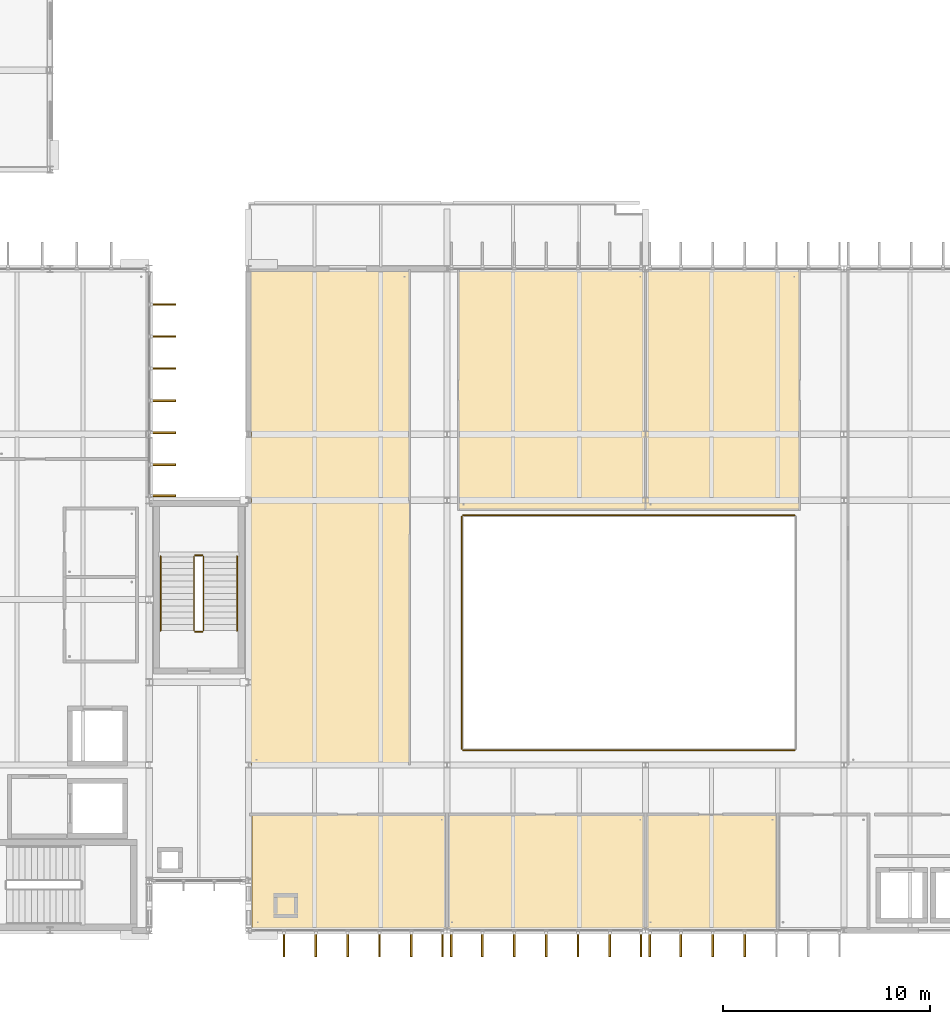
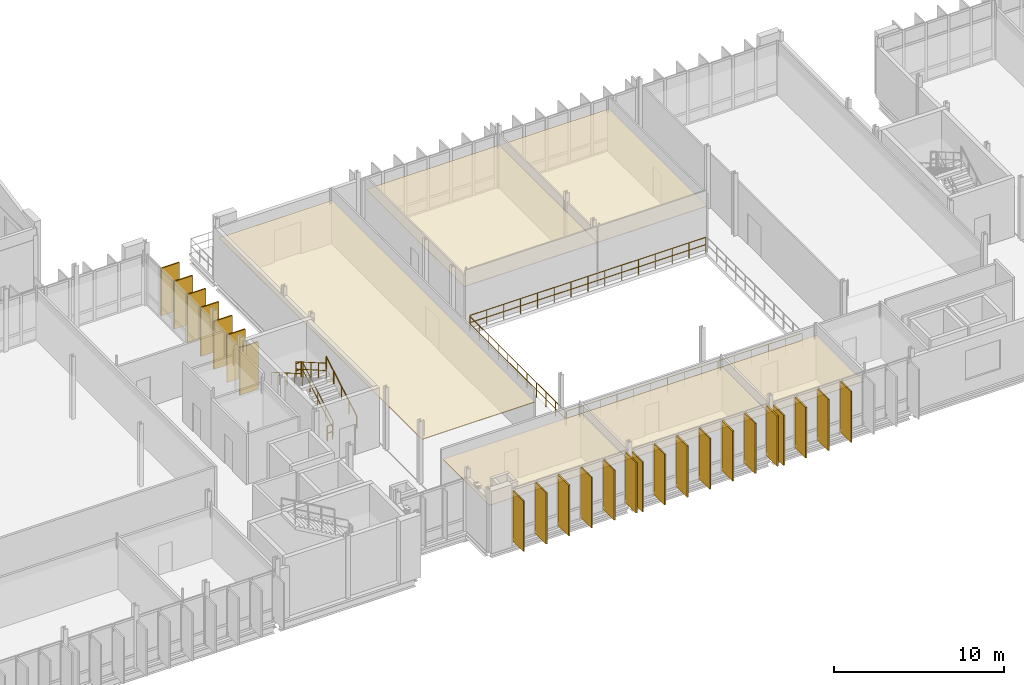
# One storey, part 86 of 93: 30 coverings, 9 railings.
"""IFC4 building model written with IfcOpenShell, lengths in metres."""

from ifc_helpers import new_model, si_unit, direction, frame, origin, origin_2d, place, context, subcontext, project, spatial, polyline, rectangle, circle, outline, extrude, material, layer, layer_set, type_object, element, save


model = new_model("IFC4")

# Units and contexts
model_context = context("Model", 3, precision=1e-05, world=origin(), true_north=direction((0.0, 1.0)))
body_context = subcontext(model_context, "Body", "Model", "MODEL_VIEW")
ifc_project = project(units=[si_unit("LENGTHUNIT", "METRE"), si_unit("AREAUNIT", "SQUARE_METRE"), si_unit("VOLUMEUNIT", "CUBIC_METRE"), si_unit("PLANEANGLEUNIT", "RADIAN"), si_unit("MASSUNIT", "GRAM", prefix="KILO")], contexts=[model_context])

# Site, building, storey
site_placement = place(None, origin())
site = spatial("IfcSite", under=ifc_project, at=site_placement, CompositionType="ELEMENT")
building_placement = place(site_placement, origin())
building = spatial("IfcBuilding", under=site, at=building_placement, Name="Dunescarp Central Library", CompositionType="ELEMENT")
storey_placement = place(building_placement, frame((0.0, 0.0, 14.10009765625)))
storey = spatial("IfcBuildingStorey", under=building, at=storey_placement, Name="L03", CompositionType="ELEMENT", Elevation=14.10009765625)

# Coverings
ifc_material_1 = material(Name="Perforated birch acoustic timber baffle", Category="wood")
ifc_layer_1 = layer(ifc_material_1, 0.050048828125)
ifc_layer_set_1 = layer_set([ifc_layer_1], Name="Perforated birch acoustic timber baffle")
covering_type_1 = type_object("IfcCoveringType", Name="ARC-COV-BAFFLE", PredefinedType="CEILING", material=ifc_layer_set_1)
covering_1_placement = place(storey_placement, frame((0.0, 0.0, 3.0498046875)))
element("IfcCovering", 1, at=covering_1_placement, inside=storey, type_object=covering_type_1, Name="L03 ceiling L03 Periodical Reading Alcove", PredefinedType="CEILING", context=body_context, shape_type="SweptSolid", body=[
    extrude(outline(polyline([(57.580078125, 4.919921875), (64.02001953125, 4.919921875), (64.02001953125, 10.419921875), (57.580078125, 10.419921875), (57.580078125, 4.919921875)])), origin(), (0.0, 0.0, 1.0), 0.050048828125),
])
covering_2_placement = place(storey_placement, frame((0.0, 0.0, 3.0498046875)))
element("IfcCovering", 2, at=covering_2_placement, inside=storey, type_object=covering_type_1, Name="L03 ceiling L03 West Stepped Reading Terrace", PredefinedType="CEILING", context=body_context, shape_type="SweptSolid", body=[
    extrude(outline(polyline([(38.52001953125, 12.780029296875), (46.219970703125, 12.780029296875), (46.219970703125, 36.679931640625), (38.52001953125, 36.679931640625), (38.52001953125, 12.780029296875)])), origin(), (0.0, 0.0, 1.0), 0.050048828125),
])
ifc_material_2 = material(Name="Mineral-fibre acoustic ceiling tile")
ifc_layer_2 = layer(ifc_material_2, 0.0400390625)
ifc_layer_set_2 = layer_set([ifc_layer_2], Name="Mineral-fibre acoustic ceiling tile")
covering_type_2 = type_object("IfcCoveringType", Name="ARC-COV-CEIL40", PredefinedType="CEILING", material=ifc_layer_set_2)
covering_3_placement = place(storey_placement, frame((0.0, 0.0, 3.0498046875)))
element("IfcCovering", 3, at=covering_3_placement, inside=storey, type_object=covering_type_2, Name="L03 ceiling L03 Group Study Room A", PredefinedType="CEILING", context=body_context, shape_type="SweptSolid", body=[
    extrude(outline(polyline([(38.580078125, 4.919921875), (48.02001953125, 4.919921875), (48.02001953125, 10.419921875), (38.580078125, 10.419921875), (38.580078125, 4.919921875)])), origin(), (0.0, 0.0, 1.0), 0.0400390625),
])
covering_4_placement = place(storey_placement, frame((0.0, 0.0, 3.0498046875)))
element("IfcCovering", 4, at=covering_4_placement, inside=storey, type_object=covering_type_2, Name="L03 ceiling L03 Group Study Room B", PredefinedType="CEILING", context=body_context, shape_type="SweptSolid", body=[
    extrude(outline(polyline([(47.97998046875, 4.919921875), (57.6201171875, 4.919921875), (57.6201171875, 10.419921875), (47.97998046875, 10.419921875), (47.97998046875, 4.919921875)])), origin(), (0.0, 0.0, 1.0), 0.0400390625),
])
covering_5_placement = place(storey_placement, frame((0.0, 0.0, 3.0498046875)))
element("IfcCovering", 5, at=covering_5_placement, inside=storey, type_object=covering_type_2, Name="L03 ceiling L03 North Water-Court Study Lounge West", PredefinedType="CEILING", context=body_context, shape_type="SweptSolid", body=[
    extrude(outline(polyline([(48.530029296875, 25.1298828125), (57.6201171875, 25.1298828125), (57.6201171875, 36.679931640625), (48.530029296875, 36.679931640625), (48.530029296875, 25.1298828125)])), origin(), (0.0, 0.0, 1.0), 0.0400390625),
])
covering_6_placement = place(storey_placement, frame((0.0, 0.0, 3.0498046875)))
element("IfcCovering", 6, at=covering_6_placement, inside=storey, type_object=covering_type_2, Name="L03 ceiling L03 North Water-Court Study Lounge East", PredefinedType="CEILING", context=body_context, shape_type="SweptSolid", body=[
    extrude(outline(polyline([(57.580078125, 25.1298828125), (65.070068359375, 25.1298828125), (65.070068359375, 36.679931640625), (57.580078125, 36.679931640625), (57.580078125, 25.1298828125)])), origin(), (0.0, 0.0, 1.0), 0.0400390625),
])
ifc_material_3 = material(Name="Glass-fibre reinforced concrete GRC", Category="concrete")
ifc_layer_3 = layer(ifc_material_3, 0.090087890625)
ifc_layer_set_3 = layer_set([ifc_layer_3], Name="Glass-fibre reinforced concrete GRC")
covering_type_3 = type_object("IfcCoveringType", Name="ARC-COV-FIN1250", PredefinedType="CLADDING", material=ifc_layer_set_3)
covering_7_placement = place(storey_placement, frame((34.261962890625, 35.074951171875, 0.180419921875), z_axis=(0.0, 0.0, 1.0), x_axis=(1.0, 0.0, 0.0)))
element("IfcCovering", 7, at=covering_7_placement, inside=storey, type_object=covering_type_3, Name="L03 parametric vertical facade fin FIN-L03-0156", PredefinedType="CLADDING", context=body_context, shape_type="SweptSolid", body=[
    extrude(rectangle(XDim=1.25, YDim=0.090087890625, at=origin_2d()), origin(), (0.0, 0.0, 1.0), 3.4150390625),
])
covering_8_placement = place(storey_placement, frame((34.261962890625, 33.52490234375, 0.16357421875), z_axis=(0.0, 0.0, 1.0), x_axis=(1.0, 0.0, 0.0)))
element("IfcCovering", 8, at=covering_8_placement, inside=storey, type_object=covering_type_3, Name="L03 parametric vertical facade fin FIN-L03-0157", PredefinedType="CLADDING", context=body_context, shape_type="SweptSolid", body=[
    extrude(rectangle(XDim=1.25, YDim=0.090087890625, at=origin_2d()), origin(), (0.0, 0.0, 1.0), 3.430908203125),
])
covering_9_placement = place(storey_placement, frame((34.261962890625, 31.97509765625, 0.123046875), z_axis=(0.0, 0.0, 1.0), x_axis=(1.0, 0.0, 0.0)))
element("IfcCovering", 9, at=covering_9_placement, inside=storey, type_object=covering_type_3, Name="L03 parametric vertical facade fin FIN-L03-0158", PredefinedType="CLADDING", context=body_context, shape_type="SweptSolid", body=[
    extrude(rectangle(XDim=1.25, YDim=0.090087890625, at=origin_2d()), origin(), (0.0, 0.0, 1.0), 3.471923828125),
])
covering_10_placement = place(storey_placement, frame((34.261962890625, 30.425048828125, 0.079833984375), z_axis=(0.0, 0.0, 1.0), x_axis=(1.0, 0.0, 0.0)))
element("IfcCovering", 10, at=covering_10_placement, inside=storey, type_object=covering_type_3, Name="L03 parametric vertical facade fin FIN-L03-0159", PredefinedType="CLADDING", context=body_context, shape_type="SweptSolid", body=[
    extrude(rectangle(XDim=1.25, YDim=0.090087890625, at=origin_2d()), origin(), (0.0, 0.0, 1.0), 3.50390625),
])
covering_11_placement = place(storey_placement, frame((34.261962890625, 28.875, 0.079833984375), z_axis=(0.0, 0.0, 1.0), x_axis=(1.0, 0.0, 0.0)))
element("IfcCovering", 11, at=covering_11_placement, inside=storey, type_object=covering_type_3, Name="L03 parametric vertical facade fin FIN-L03-0160", PredefinedType="CLADDING", context=body_context, shape_type="SweptSolid", body=[
    extrude(rectangle(XDim=1.25, YDim=0.090087890625, at=origin_2d()), origin(), (0.0, 0.0, 1.0), 3.4541015625),
])
covering_12_placement = place(storey_placement, frame((34.261962890625, 27.324951171875, 0.079345703125), z_axis=(0.0, 0.0, 1.0), x_axis=(1.0, 0.0, 0.0)))
element("IfcCovering", 12, at=covering_12_placement, inside=storey, type_object=covering_type_3, Name="L03 parametric vertical facade fin FIN-L03-0161", PredefinedType="CLADDING", context=body_context, shape_type="SweptSolid", body=[
    extrude(rectangle(XDim=1.25, YDim=0.090087890625, at=origin_2d()), origin(), (0.0, 0.0, 1.0), 3.4208984375),
])
covering_13_placement = place(storey_placement, frame((34.261962890625, 25.81494140625, 0.080322265625), z_axis=(0.0, 0.0, 1.0), x_axis=(1.0, 0.0, 0.0)))
element("IfcCovering", 13, at=covering_13_placement, inside=storey, type_object=covering_type_3, Name="L03 parametric vertical facade fin FIN-L03-0162", PredefinedType="CLADDING", context=body_context, shape_type="SweptSolid", body=[
    extrude(rectangle(XDim=1.25, YDim=0.090087890625, at=origin_2d()), origin(), (0.0, 0.0, 1.0), 3.4169921875),
])
covering_14_placement = place(storey_placement, frame((47.784912109375, 4.137939453125, 0.16748046875), z_axis=(0.0, 0.0, 1.0), x_axis=(0.0, -1.0, 0.0)))
element("IfcCovering", 14, at=covering_14_placement, inside=storey, type_object=covering_type_3, Name="L03 parametric vertical facade fin FIN-L03-0424", PredefinedType="CLADDING", context=body_context, shape_type="SweptSolid", body=[
    extrude(rectangle(XDim=1.25, YDim=0.090087890625, at=origin_2d()), origin(), (0.0, 0.0, 1.0), 3.614990234375),
])
covering_15_placement = place(storey_placement, frame((46.282958984375, 4.137939453125, 0.179931640625), z_axis=(0.0, 0.0, 1.0), x_axis=(0.0, -1.0, 0.0)))
element("IfcCovering", 15, at=covering_15_placement, inside=storey, type_object=covering_type_3, Name="L03 parametric vertical facade fin FIN-L03-0425", PredefinedType="CLADDING", context=body_context, shape_type="SweptSolid", body=[
    extrude(rectangle(XDim=1.25, YDim=0.090087890625, at=origin_2d()), origin(), (0.0, 0.0, 1.0), 3.60205078125),
])
covering_16_placement = place(storey_placement, frame((44.741943359375, 4.137939453125, 0.1640625), z_axis=(0.0, 0.0, 1.0), x_axis=(0.0, -1.0, 0.0)))
element("IfcCovering", 16, at=covering_16_placement, inside=storey, type_object=covering_type_3, Name="L03 parametric vertical facade fin FIN-L03-0426", PredefinedType="CLADDING", context=body_context, shape_type="SweptSolid", body=[
    extrude(rectangle(XDim=1.25, YDim=0.090087890625, at=origin_2d()), origin(), (0.0, 0.0, 1.0), 3.617919921875),
])
covering_17_placement = place(storey_placement, frame((43.199951171875, 4.137939453125, 0.12353515625), z_axis=(0.0, 0.0, 1.0), x_axis=(0.0, -1.0, 0.0)))
element("IfcCovering", 17, at=covering_17_placement, inside=storey, type_object=covering_type_3, Name="L03 parametric vertical facade fin FIN-L03-0427", PredefinedType="CLADDING", context=body_context, shape_type="SweptSolid", body=[
    extrude(rectangle(XDim=1.25, YDim=0.090087890625, at=origin_2d()), origin(), (0.0, 0.0, 1.0), 3.658935546875),
])
covering_18_placement = place(storey_placement, frame((41.657958984375, 4.137939453125, 0.080322265625), z_axis=(0.0, 0.0, 1.0), x_axis=(0.0, -1.0, 0.0)))
element("IfcCovering", 18, at=covering_18_placement, inside=storey, type_object=covering_type_3, Name="L03 parametric vertical facade fin FIN-L03-0428", PredefinedType="CLADDING", context=body_context, shape_type="SweptSolid", body=[
    extrude(rectangle(XDim=1.25, YDim=0.090087890625, at=origin_2d()), origin(), (0.0, 0.0, 1.0), 3.69091796875),
])
covering_19_placement = place(storey_placement, frame((40.116943359375, 4.137939453125, 0.080322265625), z_axis=(0.0, 0.0, 1.0), x_axis=(0.0, -1.0, 0.0)))
element("IfcCovering", 19, at=covering_19_placement, inside=storey, type_object=covering_type_3, Name="L03 parametric vertical facade fin FIN-L03-0429", PredefinedType="CLADDING", context=body_context, shape_type="SweptSolid", body=[
    extrude(rectangle(XDim=1.25, YDim=0.090087890625, at=origin_2d()), origin(), (0.0, 0.0, 1.0), 3.64111328125),
])
covering_20_placement = place(storey_placement, frame((57.385009765625, 4.137939453125, 0.16748046875), z_axis=(0.0, 0.0, 1.0), x_axis=(0.0, -1.0, 0.0)))
element("IfcCovering", 20, at=covering_20_placement, inside=storey, type_object=covering_type_3, Name="L03 parametric vertical facade fin FIN-L03-0430", PredefinedType="CLADDING", context=body_context, shape_type="SweptSolid", body=[
    extrude(rectangle(XDim=1.25, YDim=0.090087890625, at=origin_2d()), origin(), (0.0, 0.0, 1.0), 3.614990234375),
])
covering_21_placement = place(storey_placement, frame((55.883056640625, 4.137939453125, 0.179931640625), z_axis=(0.0, 0.0, 1.0), x_axis=(0.0, -1.0, 0.0)))
element("IfcCovering", 21, at=covering_21_placement, inside=storey, type_object=covering_type_3, Name="L03 parametric vertical facade fin FIN-L03-0431", PredefinedType="CLADDING", context=body_context, shape_type="SweptSolid", body=[
    extrude(rectangle(XDim=1.25, YDim=0.090087890625, at=origin_2d()), origin(), (0.0, 0.0, 1.0), 3.60205078125),
])
covering_22_placement = place(storey_placement, frame((54.342041015625, 4.137939453125, 0.1640625), z_axis=(0.0, 0.0, 1.0), x_axis=(0.0, -1.0, 0.0)))
element("IfcCovering", 22, at=covering_22_placement, inside=storey, type_object=covering_type_3, Name="L03 parametric vertical facade fin FIN-L03-0432", PredefinedType="CLADDING", context=body_context, shape_type="SweptSolid", body=[
    extrude(rectangle(XDim=1.25, YDim=0.090087890625, at=origin_2d()), origin(), (0.0, 0.0, 1.0), 3.617919921875),
])
covering_23_placement = place(storey_placement, frame((52.800048828125, 4.137939453125, 0.12353515625), z_axis=(0.0, 0.0, 1.0), x_axis=(0.0, -1.0, 0.0)))
element("IfcCovering", 23, at=covering_23_placement, inside=storey, type_object=covering_type_3, Name="L03 parametric vertical facade fin FIN-L03-0433", PredefinedType="CLADDING", context=body_context, shape_type="SweptSolid", body=[
    extrude(rectangle(XDim=1.25, YDim=0.090087890625, at=origin_2d()), origin(), (0.0, 0.0, 1.0), 3.658935546875),
])
covering_24_placement = place(storey_placement, frame((51.258056640625, 4.137939453125, 0.080322265625), z_axis=(0.0, 0.0, 1.0), x_axis=(0.0, -1.0, 0.0)))
element("IfcCovering", 24, at=covering_24_placement, inside=storey, type_object=covering_type_3, Name="L03 parametric vertical facade fin FIN-L03-0434", PredefinedType="CLADDING", context=body_context, shape_type="SweptSolid", body=[
    extrude(rectangle(XDim=1.25, YDim=0.090087890625, at=origin_2d()), origin(), (0.0, 0.0, 1.0), 3.69091796875),
])
covering_25_placement = place(storey_placement, frame((49.717041015625, 4.137939453125, 0.080322265625), z_axis=(0.0, 0.0, 1.0), x_axis=(0.0, -1.0, 0.0)))
element("IfcCovering", 25, at=covering_25_placement, inside=storey, type_object=covering_type_3, Name="L03 parametric vertical facade fin FIN-L03-0435", PredefinedType="CLADDING", context=body_context, shape_type="SweptSolid", body=[
    extrude(rectangle(XDim=1.25, YDim=0.090087890625, at=origin_2d()), origin(), (0.0, 0.0, 1.0), 3.64111328125),
])
covering_26_placement = place(storey_placement, frame((48.215087890625, 4.137939453125, 0.079833984375), z_axis=(0.0, 0.0, 1.0), x_axis=(0.0, -1.0, 0.0)))
element("IfcCovering", 26, at=covering_26_placement, inside=storey, type_object=covering_type_3, Name="L03 parametric vertical facade fin FIN-L03-0436", PredefinedType="CLADDING", context=body_context, shape_type="SweptSolid", body=[
    extrude(rectangle(XDim=1.25, YDim=0.090087890625, at=origin_2d()), origin(), (0.0, 0.0, 1.0), 3.60791015625),
])
covering_27_placement = place(storey_placement, frame((62.39990234375, 4.137939453125, 0.12353515625), z_axis=(0.0, 0.0, 1.0), x_axis=(0.0, -1.0, 0.0)))
element("IfcCovering", 27, at=covering_27_placement, inside=storey, type_object=covering_type_3, Name="L03 parametric vertical facade fin FIN-L03-0440", PredefinedType="CLADDING", context=body_context, shape_type="SweptSolid", body=[
    extrude(rectangle(XDim=1.25, YDim=0.090087890625, at=origin_2d()), origin(), (0.0, 0.0, 1.0), 3.658935546875),
])
covering_28_placement = place(storey_placement, frame((60.85791015625, 4.137939453125, 0.080322265625), z_axis=(0.0, 0.0, 1.0), x_axis=(0.0, -1.0, 0.0)))
element("IfcCovering", 28, at=covering_28_placement, inside=storey, type_object=covering_type_3, Name="L03 parametric vertical facade fin FIN-L03-0441", PredefinedType="CLADDING", context=body_context, shape_type="SweptSolid", body=[
    extrude(rectangle(XDim=1.25, YDim=0.090087890625, at=origin_2d()), origin(), (0.0, 0.0, 1.0), 3.69091796875),
])
covering_29_placement = place(storey_placement, frame((59.31689453125, 4.137939453125, 0.080322265625), z_axis=(0.0, 0.0, 1.0), x_axis=(0.0, -1.0, 0.0)))
element("IfcCovering", 29, at=covering_29_placement, inside=storey, type_object=covering_type_3, Name="L03 parametric vertical facade fin FIN-L03-0442", PredefinedType="CLADDING", context=body_context, shape_type="SweptSolid", body=[
    extrude(rectangle(XDim=1.25, YDim=0.090087890625, at=origin_2d()), origin(), (0.0, 0.0, 1.0), 3.64111328125),
])
covering_30_placement = place(storey_placement, frame((57.81494140625, 4.137939453125, 0.079833984375), z_axis=(0.0, 0.0, 1.0), x_axis=(0.0, -1.0, 0.0)))
element("IfcCovering", 30, at=covering_30_placement, inside=storey, type_object=covering_type_3, Name="L03 parametric vertical facade fin FIN-L03-0443", PredefinedType="CLADDING", context=body_context, shape_type="SweptSolid", body=[
    extrude(rectangle(XDim=1.25, YDim=0.090087890625, at=origin_2d()), origin(), (0.0, 0.0, 1.0), 3.60791015625),
])

# Railings
ifc_material_4 = material(Name="Stainless steel Grade 316L", Category="steel")
railing_type_1 = type_object("IfcRailingType", Name="ARC-RL-GUARD", PredefinedType="GUARDRAIL", material=ifc_material_4)
railing_1_placement = place(storey_placement, frame((36.22998046875, 19.300048828125, 0.173095703125)))
element("IfcRailing", 31, at=railing_1_placement, inside=storey, type_object=railing_type_1, Name="L03 ST-2 stair guard 1", PredefinedType="GUARDRAIL", context=body_context, shape_type="SweptSolid", body=[
    extrude(circle(Radius=0.02392578125, at=origin_2d()), frame((0.0, 0.0, 1.076171875), z_axis=(0.0, 0.866178740119, 0.499734319579), x_axis=(-1.0, 0.0, 0.0)), (0.0, 0.0, 1.0), 4.156005859375),
    extrude(circle(Radius=0.02392578125, at=origin_2d()), frame((0.0, 0.0, 0.550048828125), z_axis=(0.0, 0.866178740119, 0.499734319579), x_axis=(-1.0, 0.0, 0.0)), (0.0, 0.0, 1.0), 4.156005859375),
    extrude(circle(Radius=0.02099609375, at=origin_2d()), origin(), (0.0, 0.0, 1.0), 1.052001953125),
    extrude(circle(Radius=0.02099609375, at=origin_2d()), frame((0.0, 0.89990234375, 0.519287109375)), (0.0, 0.0, 1.0), 1.052001953125),
    extrude(circle(Radius=0.02099609375, at=origin_2d()), frame((0.0, 1.7998046875, 1.03857421875)), (0.0, 0.0, 1.0), 1.052001953125),
    extrude(circle(Radius=0.02099609375, at=origin_2d()), frame((0.0, 2.699951171875, 1.5576171875)), (0.0, 0.0, 1.0), 1.052001953125),
    extrude(circle(Radius=0.02099609375, at=origin_2d()), frame((0.0, 3.599853515625, 2.076904296875)), (0.0, 0.0, 1.0), 1.052001953125),
])
railing_2_placement = place(storey_placement, frame((36.179931640625, 22.949951171875, 2.25)))
element("IfcRailing", 32, at=railing_2_placement, inside=storey, type_object=railing_type_1, Name="L03 ST-2 stair guard 2", PredefinedType="GUARDRAIL", context=body_context, shape_type="SweptSolid", body=[
    extrude(circle(Radius=0.02392578125, at=origin_2d()), frame((0.0, 0.0, 1.076171875), z_axis=(-1.0, 0.0, 0.0), x_axis=(0.0, -1.0, 0.0)), (0.0, 0.0, 1.0), 0.35986328125),
    extrude(circle(Radius=0.02392578125, at=origin_2d()), frame((0.0, 0.0, 0.550048828125), z_axis=(-1.0, 0.0, 0.0), x_axis=(0.0, -1.0, 0.0)), (0.0, 0.0, 1.0), 0.35986328125),
    extrude(circle(Radius=0.02099609375, at=origin_2d()), origin(), (0.0, 0.0, 1.0), 1.052001953125),
    extrude(circle(Radius=0.02099609375, at=origin_2d()), frame((-0.35986328125, 0.0, 0.0)), (0.0, 0.0, 1.0), 1.052001953125),
])
railing_3_placement = place(storey_placement, frame((35.77001953125, 22.89990234375, 2.423095703125)))
element("IfcRailing", 33, at=railing_3_placement, inside=storey, type_object=railing_type_1, Name="L03 ST-2 stair guard 3", PredefinedType="GUARDRAIL", context=body_context, shape_type="SweptSolid", body=[
    extrude(circle(Radius=0.02392578125, at=origin_2d()), frame((0.0, 0.0, 1.076171875), z_axis=(0.0, -0.866178740119, 0.499734319579), x_axis=(1.0, 0.0, 0.0)), (0.0, 0.0, 1.0), 4.156005859375),
    extrude(circle(Radius=0.02392578125, at=origin_2d()), frame((0.0, 0.0, 0.550048828125), z_axis=(0.0, -0.866178740119, 0.499734319579), x_axis=(1.0, 0.0, 0.0)), (0.0, 0.0, 1.0), 4.156005859375),
    extrude(circle(Radius=0.02099609375, at=origin_2d()), origin(), (0.0, 0.0, 1.0), 1.052001953125),
    extrude(circle(Radius=0.02099609375, at=origin_2d()), frame((0.0, -0.89990234375, 0.519287109375)), (0.0, 0.0, 1.0), 1.052001953125),
    extrude(circle(Radius=0.02099609375, at=origin_2d()), frame((0.0, -1.7998046875, 1.03857421875)), (0.0, 0.0, 1.0), 1.052001953125),
    extrude(circle(Radius=0.02099609375, at=origin_2d()), frame((0.0, -2.699951171875, 1.5576171875)), (0.0, 0.0, 1.0), 1.052001953125),
    extrude(circle(Radius=0.02099609375, at=origin_2d()), frame((0.0, -3.599853515625, 2.076904296875)), (0.0, 0.0, 1.0), 1.052001953125),
])
railing_4_placement = place(storey_placement, frame((36.179931640625, 19.25, 0.0)))
element("IfcRailing", 34, at=railing_4_placement, inside=storey, type_object=railing_type_1, Name="L03 ST-2 stair guard 4", PredefinedType="GUARDRAIL", context=body_context, shape_type="SweptSolid", body=[
    extrude(circle(Radius=0.02392578125, at=origin_2d()), frame((0.0, 0.0, 1.076171875), z_axis=(-1.0, 0.0, 0.0), x_axis=(0.0, -1.0, 0.0)), (0.0, 0.0, 1.0), 0.35986328125),
    extrude(circle(Radius=0.02392578125, at=origin_2d()), frame((0.0, 0.0, 0.550048828125), z_axis=(-1.0, 0.0, 0.0), x_axis=(0.0, -1.0, 0.0)), (0.0, 0.0, 1.0), 0.35986328125),
    extrude(circle(Radius=0.02099609375, at=origin_2d()), origin(), (0.0, 0.0, 1.0), 1.052001953125),
    extrude(circle(Radius=0.02099609375, at=origin_2d()), frame((-0.35986328125, 0.0, 0.0)), (0.0, 0.0, 1.0), 1.052001953125),
])
railing_5_placement = place(storey_placement, frame((48.780029296875, 13.52001953125, 0.0)))
element("IfcRailing", 35, at=railing_5_placement, inside=storey, type_object=railing_type_1, Name="L03 void guardrail GRD-ATR-L03-S", PredefinedType="GUARDRAIL", context=body_context, shape_type="SweptSolid", body=[
    extrude(circle(Radius=0.02392578125, at=origin_2d()), frame((0.0, 0.0, 1.076171875), z_axis=(1.0, 0.0, 0.0), x_axis=(0.0, 1.0, 0.0)), (0.0, 0.0, 1.0), 16.0400390625),
    extrude(circle(Radius=0.02392578125, at=origin_2d()), frame((0.0, 0.0, 0.550048828125), z_axis=(1.0, 0.0, 0.0), x_axis=(0.0, 1.0, 0.0)), (0.0, 0.0, 1.0), 16.0400390625),
    extrude(circle(Radius=0.02099609375, at=origin_2d()), origin(), (0.0, 0.0, 1.0), 1.052001953125),
    extrude(circle(Radius=0.02099609375, at=origin_2d()), frame((1.145751953125, 0.0, 0.0)), (0.0, 0.0, 1.0), 1.052001953125),
    extrude(circle(Radius=0.02099609375, at=origin_2d()), frame((2.29150390625, 0.0, 0.0)), (0.0, 0.0, 1.0), 1.052001953125),
    extrude(circle(Radius=0.02099609375, at=origin_2d()), frame((3.437255859375, 0.0, 0.0)), (0.0, 0.0, 1.0), 1.052001953125),
    extrude(circle(Radius=0.02099609375, at=origin_2d()), frame((4.582763671875, 0.0, 0.0)), (0.0, 0.0, 1.0), 1.052001953125),
    extrude(circle(Radius=0.02099609375, at=origin_2d()), frame((5.728515625, 0.0, 0.0)), (0.0, 0.0, 1.0), 1.052001953125),
    extrude(circle(Radius=0.02099609375, at=origin_2d()), frame((6.874267578125, 0.0, 0.0)), (0.0, 0.0, 1.0), 1.052001953125),
    extrude(circle(Radius=0.02099609375, at=origin_2d()), frame((8.02001953125, 0.0, 0.0)), (0.0, 0.0, 1.0), 1.052001953125),
    extrude(circle(Radius=0.02099609375, at=origin_2d()), frame((9.165771484375, 0.0, 0.0)), (0.0, 0.0, 1.0), 1.052001953125),
    extrude(circle(Radius=0.02099609375, at=origin_2d()), frame((10.3115234375, 0.0, 0.0)), (0.0, 0.0, 1.0), 1.052001953125),
    extrude(circle(Radius=0.02099609375, at=origin_2d()), frame((11.457275390625, 0.0, 0.0)), (0.0, 0.0, 1.0), 1.052001953125),
    extrude(circle(Radius=0.02099609375, at=origin_2d()), frame((12.602783203125, 0.0, 0.0)), (0.0, 0.0, 1.0), 1.052001953125),
    extrude(circle(Radius=0.02099609375, at=origin_2d()), frame((13.74853515625, 0.0, 0.0)), (0.0, 0.0, 1.0), 1.052001953125),
    extrude(circle(Radius=0.02099609375, at=origin_2d()), frame((14.894287109375, 0.0, 0.0)), (0.0, 0.0, 1.0), 1.052001953125),
    extrude(circle(Radius=0.02099609375, at=origin_2d()), frame((16.0400390625, 0.0, 0.0)), (0.0, 0.0, 1.0), 1.052001953125),
])
railing_6_placement = place(storey_placement, frame((64.820068359375, 24.8798828125, 0.0)))
element("IfcRailing", 36, at=railing_6_placement, inside=storey, type_object=railing_type_1, Name="L03 void guardrail GRD-ATR-L03-N", PredefinedType="GUARDRAIL", context=body_context, shape_type="SweptSolid", body=[
    extrude(circle(Radius=0.02392578125, at=origin_2d()), frame((0.0, 0.0, 1.076171875), z_axis=(-1.0, 0.0, 0.0), x_axis=(0.0, -1.0, 0.0)), (0.0, 0.0, 1.0), 16.0400390625),
    extrude(circle(Radius=0.02392578125, at=origin_2d()), frame((0.0, 0.0, 0.550048828125), z_axis=(-1.0, 0.0, 0.0), x_axis=(0.0, -1.0, 0.0)), (0.0, 0.0, 1.0), 16.0400390625),
    extrude(circle(Radius=0.02099609375, at=origin_2d()), origin(), (0.0, 0.0, 1.0), 1.052001953125),
    extrude(circle(Radius=0.02099609375, at=origin_2d()), frame((-1.145751953125, 0.0, 0.0)), (0.0, 0.0, 1.0), 1.052001953125),
    extrude(circle(Radius=0.02099609375, at=origin_2d()), frame((-2.29150390625, 0.0, 0.0)), (0.0, 0.0, 1.0), 1.052001953125),
    extrude(circle(Radius=0.02099609375, at=origin_2d()), frame((-3.437255859375, 0.0, 0.0)), (0.0, 0.0, 1.0), 1.052001953125),
    extrude(circle(Radius=0.02099609375, at=origin_2d()), frame((-4.582763671875, 0.0, 0.0)), (0.0, 0.0, 1.0), 1.052001953125),
    extrude(circle(Radius=0.02099609375, at=origin_2d()), frame((-5.728515625, 0.0, 0.0)), (0.0, 0.0, 1.0), 1.052001953125),
    extrude(circle(Radius=0.02099609375, at=origin_2d()), frame((-6.874267578125, 0.0, 0.0)), (0.0, 0.0, 1.0), 1.052001953125),
    extrude(circle(Radius=0.02099609375, at=origin_2d()), frame((-8.02001953125, 0.0, 0.0)), (0.0, 0.0, 1.0), 1.052001953125),
    extrude(circle(Radius=0.02099609375, at=origin_2d()), frame((-9.165771484375, 0.0, 0.0)), (0.0, 0.0, 1.0), 1.052001953125),
    extrude(circle(Radius=0.02099609375, at=origin_2d()), frame((-10.3115234375, 0.0, 0.0)), (0.0, 0.0, 1.0), 1.052001953125),
    extrude(circle(Radius=0.02099609375, at=origin_2d()), frame((-11.457275390625, 0.0, 0.0)), (0.0, 0.0, 1.0), 1.052001953125),
    extrude(circle(Radius=0.02099609375, at=origin_2d()), frame((-12.602783203125, 0.0, 0.0)), (0.0, 0.0, 1.0), 1.052001953125),
    extrude(circle(Radius=0.02099609375, at=origin_2d()), frame((-13.74853515625, 0.0, 0.0)), (0.0, 0.0, 1.0), 1.052001953125),
    extrude(circle(Radius=0.02099609375, at=origin_2d()), frame((-14.894287109375, 0.0, 0.0)), (0.0, 0.0, 1.0), 1.052001953125),
    extrude(circle(Radius=0.02099609375, at=origin_2d()), frame((-16.0400390625, 0.0, 0.0)), (0.0, 0.0, 1.0), 1.052001953125),
])
railing_7_placement = place(storey_placement, frame((48.719970703125, 24.820068359375, 0.0)))
element("IfcRailing", 37, at=railing_7_placement, inside=storey, type_object=railing_type_1, Name="L03 void guardrail GRD-ATR-L03-W", PredefinedType="GUARDRAIL", context=body_context, shape_type="SweptSolid", body=[
    extrude(circle(Radius=0.02392578125, at=origin_2d()), frame((0.0, 0.0, 1.076171875), z_axis=(0.0, -1.0, 0.0), x_axis=(1.0, 0.0, 0.0)), (0.0, 0.0, 1.0), 11.239990234375),
    extrude(circle(Radius=0.02392578125, at=origin_2d()), frame((0.0, 0.0, 0.550048828125), z_axis=(0.0, -1.0, 0.0), x_axis=(1.0, 0.0, 0.0)), (0.0, 0.0, 1.0), 11.239990234375),
    extrude(circle(Radius=0.02099609375, at=origin_2d()), origin(), (0.0, 0.0, 1.0), 1.052001953125),
    extrude(circle(Radius=0.02099609375, at=origin_2d()), frame((0.0, -1.1240234375, 0.0)), (0.0, 0.0, 1.0), 1.052001953125),
    extrude(circle(Radius=0.02099609375, at=origin_2d()), frame((0.0, -2.248046875, 0.0)), (0.0, 0.0, 1.0), 1.052001953125),
    extrude(circle(Radius=0.02099609375, at=origin_2d()), frame((0.0, -3.3720703125, 0.0)), (0.0, 0.0, 1.0), 1.052001953125),
    extrude(circle(Radius=0.02099609375, at=origin_2d()), frame((0.0, -4.49609375, 0.0)), (0.0, 0.0, 1.0), 1.052001953125),
    extrude(circle(Radius=0.02099609375, at=origin_2d()), frame((0.0, -5.6201171875, 0.0)), (0.0, 0.0, 1.0), 1.052001953125),
    extrude(circle(Radius=0.02099609375, at=origin_2d()), frame((0.0, -6.743896484375, 0.0)), (0.0, 0.0, 1.0), 1.052001953125),
    extrude(circle(Radius=0.02099609375, at=origin_2d()), frame((0.0, -7.867919921875, 0.0)), (0.0, 0.0, 1.0), 1.052001953125),
    extrude(circle(Radius=0.02099609375, at=origin_2d()), frame((0.0, -8.991943359375, 0.0)), (0.0, 0.0, 1.0), 1.052001953125),
    extrude(circle(Radius=0.02099609375, at=origin_2d()), frame((0.0, -10.115966796875, 0.0)), (0.0, 0.0, 1.0), 1.052001953125),
    extrude(circle(Radius=0.02099609375, at=origin_2d()), frame((0.0, -11.239990234375, 0.0)), (0.0, 0.0, 1.0), 1.052001953125),
])
railing_type_2 = type_object("IfcRailingType", Name="ARC-RL-HAND", PredefinedType="HANDRAIL", material=ifc_material_4)
railing_8_placement = place(storey_placement, frame((37.85009765625, 19.300048828125, 0.173095703125)))
element("IfcRailing", 38, at=railing_8_placement, inside=storey, type_object=railing_type_2, Name="L03 ST-2 stair handrail 1", PredefinedType="HANDRAIL", context=body_context, shape_type="SweptSolid", body=[
    extrude(circle(Radius=0.02392578125, at=origin_2d()), frame((0.0, 0.0, 0.8857421875), z_axis=(0.0, 0.866178740119, 0.499734319579), x_axis=(-1.0, 0.0, 0.0)), (0.0, 0.0, 1.0), 4.156005859375),
    extrude(circle(Radius=0.02099609375, at=origin_2d()), origin(), (0.0, 0.0, 1.0), 0.86181640625),
    extrude(circle(Radius=0.02099609375, at=origin_2d()), frame((0.0, 0.89990234375, 0.519287109375)), (0.0, 0.0, 1.0), 0.86181640625),
    extrude(circle(Radius=0.02099609375, at=origin_2d()), frame((0.0, 1.7998046875, 1.03857421875)), (0.0, 0.0, 1.0), 0.86181640625),
    extrude(circle(Radius=0.02099609375, at=origin_2d()), frame((0.0, 2.699951171875, 1.5576171875)), (0.0, 0.0, 1.0), 0.86181640625),
    extrude(circle(Radius=0.02099609375, at=origin_2d()), frame((0.0, 3.599853515625, 2.076904296875)), (0.0, 0.0, 1.0), 0.86181640625),
])
railing_9_placement = place(storey_placement, frame((34.14990234375, 22.89990234375, 2.423095703125)))
element("IfcRailing", 39, at=railing_9_placement, inside=storey, type_object=railing_type_2, Name="L03 ST-2 stair handrail 2", PredefinedType="HANDRAIL", context=body_context, shape_type="SweptSolid", body=[
    extrude(circle(Radius=0.02392578125, at=origin_2d()), frame((0.0, 0.0, 0.8857421875), z_axis=(0.0, -0.866178740119, 0.499734319579), x_axis=(1.0, 0.0, 0.0)), (0.0, 0.0, 1.0), 4.156005859375),
    extrude(circle(Radius=0.02099609375, at=origin_2d()), origin(), (0.0, 0.0, 1.0), 0.86181640625),
    extrude(circle(Radius=0.02099609375, at=origin_2d()), frame((0.0, -0.89990234375, 0.519287109375)), (0.0, 0.0, 1.0), 0.86181640625),
    extrude(circle(Radius=0.02099609375, at=origin_2d()), frame((0.0, -1.7998046875, 1.03857421875)), (0.0, 0.0, 1.0), 0.86181640625),
    extrude(circle(Radius=0.02099609375, at=origin_2d()), frame((0.0, -2.699951171875, 1.5576171875)), (0.0, 0.0, 1.0), 0.86181640625),
    extrude(circle(Radius=0.02099609375, at=origin_2d()), frame((0.0, -3.599853515625, 2.076904296875)), (0.0, 0.0, 1.0), 0.86181640625),
])

save(model, "model.ifc")
